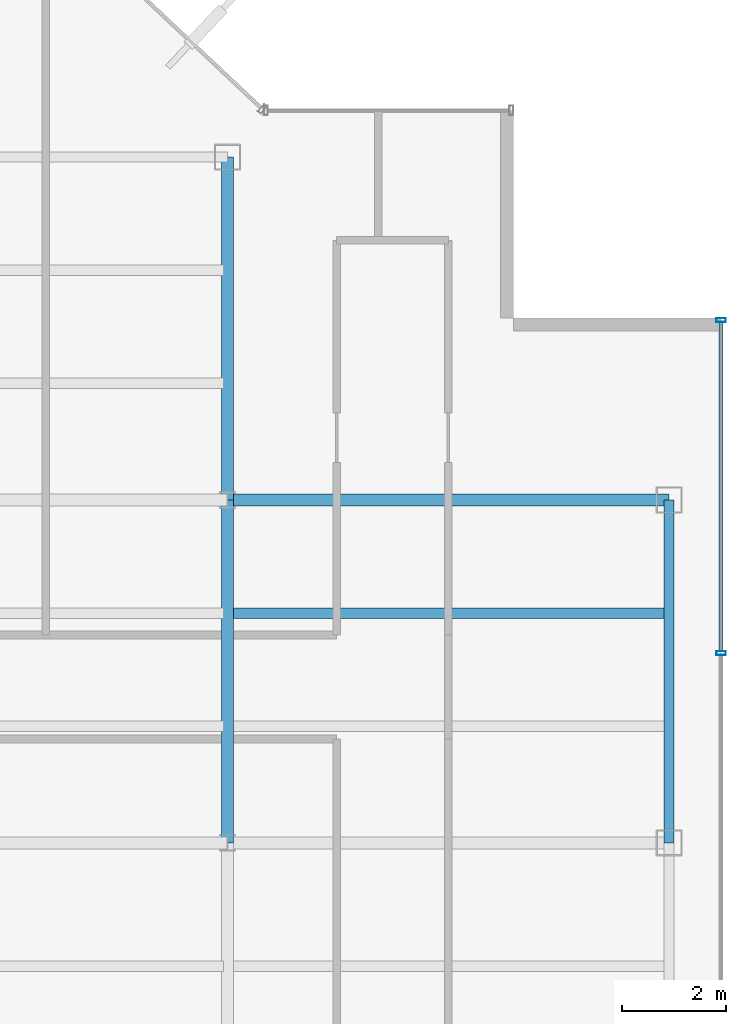
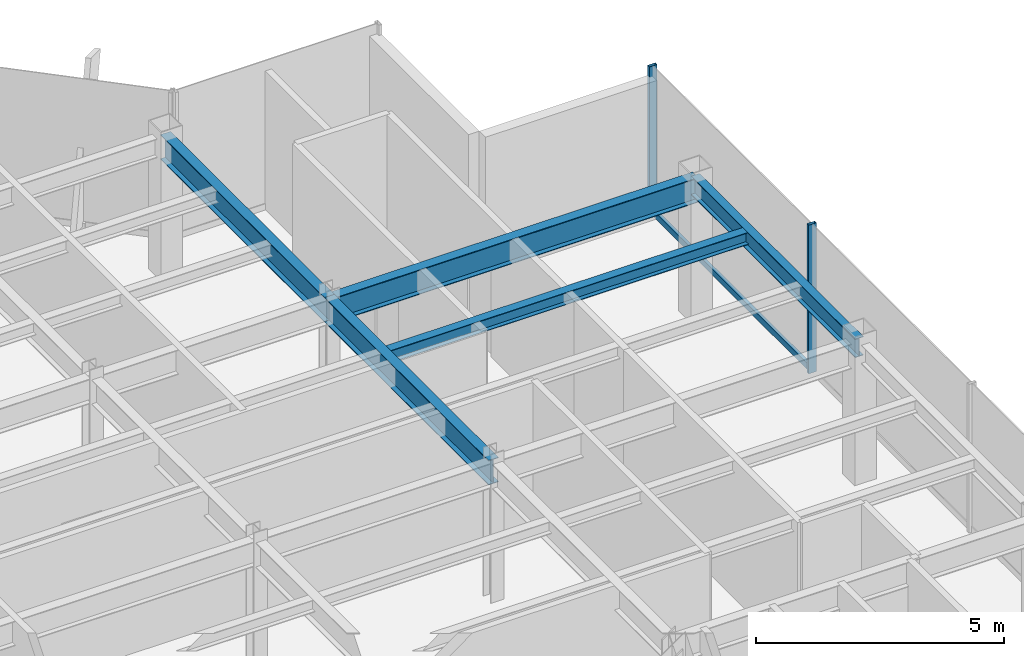
# One storey, part 11 of 22: 5 beams, 3 members, 1 element without a shape of its own.
"""IFC4 building model written with IfcOpenShell, lengths in metres."""

from ifc_helpers import new_model, si_unit, derived_unit, direction, frame, origin, origin_2d, place, context, subcontext, project, spatial, hollow_rectangle, i_section, extrude, source, transform, mapped, material, material_profile, profile_set, type_object, element, aggregate, save


model = new_model("IFC4")

# Units and contexts
model_context = context("Model", 3, precision=1e-05, world=origin(), true_north=direction((0.0, 1.0)))
body_context = subcontext(model_context, "Body", "Model", "MODEL_VIEW")
ifc_project = project(units=[si_unit("LENGTHUNIT", "METRE"), si_unit("AREAUNIT", "SQUARE_METRE"), si_unit("VOLUMEUNIT", "CUBIC_METRE"), si_unit("PLANEANGLEUNIT", "RADIAN"), si_unit("MASSUNIT", "GRAM", prefix="KILO"), derived_unit("THERMALTRANSMITTANCEUNIT", [(si_unit("POWERUNIT", "WATT"), 1), (si_unit("LENGTHUNIT", "METRE"), -2), (si_unit("THERMODYNAMICTEMPERATUREUNIT", "KELVIN"), -1)])], contexts=[model_context])

# Site, building, storey
site_placement = place(None, origin())
site = spatial("IfcSite", under=ifc_project, at=site_placement, CompositionType="ELEMENT")
building_placement = place(site_placement, origin())
building = spatial("IfcBuilding", under=site, at=building_placement, Name="Skarnbrae Concourse Arena and Tower", CompositionType="ELEMENT")
storey_placement = place(building_placement, frame((0.0, 0.0, 273.39990234375)))
storey = spatial("IfcBuildingStorey", under=building, at=storey_placement, Name="L71", CompositionType="ELEMENT", Elevation=273.39990234375)

# Beams
ifc_material_1 = material(Name="Steel CSA G40.21 350W", Category="steel")
ifc_material_profile_1 = material_profile(ifc_material_1, i_section(OverallWidth=0.22802734375, OverallDepth=0.60791015625, WebThickness=0.01123046875, FlangeThickness=0.017333984375, at=origin_2d()), Name="W610X113")
ifc_profile_set_1 = profile_set([ifc_material_profile_1], Name="Steel CSA G40.21 350W")
beam_type_1 = type_object("IfcBeamType", Name="BM-GIRD-W610X113", PredefinedType="BEAM", material=ifc_profile_set_1)
shared_shape_1 = source(origin(), body_context, "Body", "SweptSolid", [
    extrude(i_section(OverallWidth=0.22802734375, OverallDepth=0.60791015625, WebThickness=0.01123046875, FlangeThickness=0.017333984375, at=origin_2d()), origin(), (0.0, 0.0, 1.0), 6.60009765625),
])
beam_1_placement = place(storey_placement, frame((33.5, 21.199951171875, 3.09619140625), z_axis=(0.0, 1.0, 0.0), x_axis=(-1.0, 0.0, 0.0)))
element("IfcBeam", 1, at=beam_1_placement, inside=storey, type_object=beam_type_1, Name="L71 Primary N-S girder X33.5-2", PredefinedType="BEAM", context=body_context, shape_type="MappedRepresentation", body=[
    mapped(shared_shape_1, transform((0.0, 0.0, 0.0))),
])
shared_shape_2 = source(origin(), body_context, "Body", "SweptSolid", [
    extrude(i_section(OverallWidth=0.22802734375, OverallDepth=0.60791015625, WebThickness=0.01123046875, FlangeThickness=0.017333984375, at=origin_2d()), origin(), (0.0, 0.0, 1.0), 8.5),
])
beam_2_placement = place(storey_placement, frame((33.5, 27.800048828125, 3.09619140625), z_axis=(1.0, 0.0, 0.0), x_axis=(0.0, 1.0, 0.0)))
element("IfcBeam", 2, at=beam_2_placement, inside=storey, type_object=beam_type_1, Name="L71 Primary E-W girder Y27.8-6", PredefinedType="BEAM", context=body_context, shape_type="MappedRepresentation", body=[
    mapped(shared_shape_2, transform((0.0, 0.0, 0.0))),
])
ifc_material_profile_2 = material_profile(ifc_material_1, i_section(OverallWidth=0.19091796875, OverallDepth=0.4599609375, WebThickness=0.010009765625, FlangeThickness=0.01611328125, at=origin_2d()), Name="W460X82")
ifc_profile_set_2 = profile_set([ifc_material_profile_2], Name="Steel CSA G40.21 350W")
beam_type_2 = type_object("IfcBeamType", Name="BM-SPAN-W460X82", PredefinedType="SPANDREL", material=ifc_profile_set_2)
shared_shape_3 = source(origin(), body_context, "Body", "SweptSolid", [
    extrude(i_section(OverallWidth=0.19091796875, OverallDepth=0.4599609375, WebThickness=0.010009765625, FlangeThickness=0.01611328125, at=origin_2d()), origin(), (0.0, 0.0, 1.0), 6.60009765625),
])
beam_3_placement = place(storey_placement, frame((42.0, 21.199951171875, 3.170166015625), z_axis=(0.0, 1.0, 0.0), x_axis=(-1.0, 0.0, 0.0)))
element("IfcBeam", 3, at=beam_3_placement, inside=storey, type_object=beam_type_2, Name="L71 Perimeter spandrel X42.0-3", PredefinedType="SPANDREL", context=body_context, shape_type="MappedRepresentation", body=[
    mapped(shared_shape_3, transform((0.0, 0.0, 0.0))),
])
shared_shape_4 = source(origin(), body_context, "Body", "SweptSolid", [
    extrude(i_section(OverallWidth=0.22802734375, OverallDepth=0.60791015625, WebThickness=0.01123046875, FlangeThickness=0.017333984375, at=origin_2d()), origin(), (0.0, 0.0, 1.0), 6.599853515625),
])
beam_4_placement = place(storey_placement, frame((33.5, 27.800048828125, 3.09619140625), z_axis=(0.0, 1.0, 0.0), x_axis=(-1.0, 0.0, 0.0)))
element("IfcBeam", 4, at=beam_4_placement, inside=storey, type_object=beam_type_1, Name="L71 Primary N-S girder X33.5-3", PredefinedType="BEAM", context=body_context, shape_type="MappedRepresentation", body=[
    mapped(shared_shape_4, transform((0.0, 0.0, 0.0))),
])
ifc_material_profile_3 = material_profile(ifc_material_1, i_section(OverallWidth=0.202880859375, OverallDepth=0.302978515625, WebThickness=0.007568359375, FlangeThickness=0.01318359375, at=origin_2d()), Name="W310X60")
ifc_profile_set_3 = profile_set([ifc_material_profile_3], Name="Steel CSA G40.21 350W")
beam_type_3 = type_object("IfcBeamType", Name="BM-JOIST-W310X60", PredefinedType="JOIST", material=ifc_profile_set_3)
shared_shape_5 = source(origin(), body_context, "Body", "SweptSolid", [
    extrude(i_section(OverallWidth=0.202880859375, OverallDepth=0.302978515625, WebThickness=0.007568359375, FlangeThickness=0.01318359375, at=origin_2d()), origin(), (0.0, 0.0, 1.0), 8.33984375),
])
beam_5_placement = place(storey_placement, frame((33.580078125, 25.6220703125, 3.24853515625), z_axis=(1.0, 0.0, 0.0), x_axis=(0.0, 1.0, 0.0)))
element("IfcBeam", 5, at=beam_5_placement, inside=storey, type_object=beam_type_3, Name="L71 Secondary floor joist 2.2.6", PredefinedType="JOIST", context=body_context, shape_type="MappedRepresentation", body=[
    mapped(shared_shape_5, transform((0.0, 0.0, 0.0))),
])

# Curtain wall, members
ifc_material_2 = material(Name="Bronze anodised aluminium 6063-T6", Category="aluminium")
curtain_wall_type = type_object("IfcCurtainWallType", Name="CW-SYS-05-HIGHZONE", PredefinedType="USERDEFINED", material=ifc_material_2)
curtain_wall_placement = place(storey_placement, origin())
curtain_wall = element("IfcCurtainWall", 6, at=curtain_wall_placement, inside=storey, type_object=curtain_wall_type, Name="L71 Unitised curtain wall CW-L71-E04", ObjectType="UNITISED CURTAIN WALL", PredefinedType="USERDEFINED")
ifc_material_profile_4 = material_profile(ifc_material_2, hollow_rectangle(XDim=0.074951171875, YDim=0.14990234375, WallThickness=0.00390625, at=origin_2d()), Name="ALU-TRAN-75X150")
ifc_profile_set_4 = profile_set([ifc_material_profile_4], Name="Bronze anodised aluminium 6063-T6")
member_type_1 = type_object("IfcMemberType", Name="CWT-CW-05", PredefinedType="USERDEFINED", material=ifc_profile_set_4)
shared_shape_6 = source(origin(), body_context, "Body", "SweptSolid", [
    extrude(hollow_rectangle(XDim=0.074951171875, YDim=0.14990234375, WallThickness=0.00390625, at=origin_2d()), origin(), (0.0, 0.0, 1.0), 6.337646484375),
])
member_1_placement = place(storey_placement, frame((43.0, 24.887451171875, 0.0751953125), z_axis=(0.0, 1.0, 0.0), x_axis=(-1.0, 0.0, 0.0)))
member_1 = element("IfcMember", 7, at=member_1_placement, type_object=member_type_1, Name="CW-L71-E04 Transom 4", ObjectType="TRANSOM", PredefinedType="USERDEFINED", context=body_context, shape_type="MappedRepresentation", body=[
    mapped(shared_shape_6, transform((0.0, 0.0, 0.0))),
])
ifc_material_profile_5 = material_profile(ifc_material_2, hollow_rectangle(XDim=0.074951171875, YDim=0.179931640625, WallThickness=0.00390625, at=origin_2d()), Name="ALU-MULL-75X180")
ifc_profile_set_5 = profile_set([ifc_material_profile_5], Name="Bronze anodised aluminium 6063-T6")
member_type_2 = type_object("IfcMemberType", Name="CWM-CW-05", PredefinedType="MULLION", material=ifc_profile_set_5)
shared_shape_7 = source(origin(), body_context, "Body", "SweptSolid", [
    extrude(hollow_rectangle(XDim=0.074951171875, YDim=0.179931640625, WallThickness=0.00390625, at=origin_2d()), origin(), (0.0, 0.0, 1.0), 3.650146484375),
])
member_2_placement = place(storey_placement, frame((43.0, 24.85009765625, 0.0), z_axis=(0.0, 0.0, 1.0), x_axis=(0.0, 1.0, 0.0)))
member_2 = element("IfcMember", 8, at=member_2_placement, type_object=member_type_2, Name="CW-L71-E04 Mullion 4", PredefinedType="MULLION", context=body_context, shape_type="MappedRepresentation", body=[
    mapped(shared_shape_7, transform((0.0, 0.0, 0.0))),
])
member_3_placement = place(storey_placement, frame((43.0, 31.262451171875, 0.0), z_axis=(0.0, 0.0, 1.0), x_axis=(0.0, 1.0, 0.0)))
member_3 = element("IfcMember", 9, at=member_3_placement, type_object=member_type_2, Name="CW-L71-E04 Mullion 5", PredefinedType="MULLION", context=body_context, shape_type="MappedRepresentation", body=[
    mapped(shared_shape_7, transform((0.0, 0.0, 0.0))),
])
aggregate(curtain_wall, [member_2, member_3, member_1])

save(model, "model.ifc")
